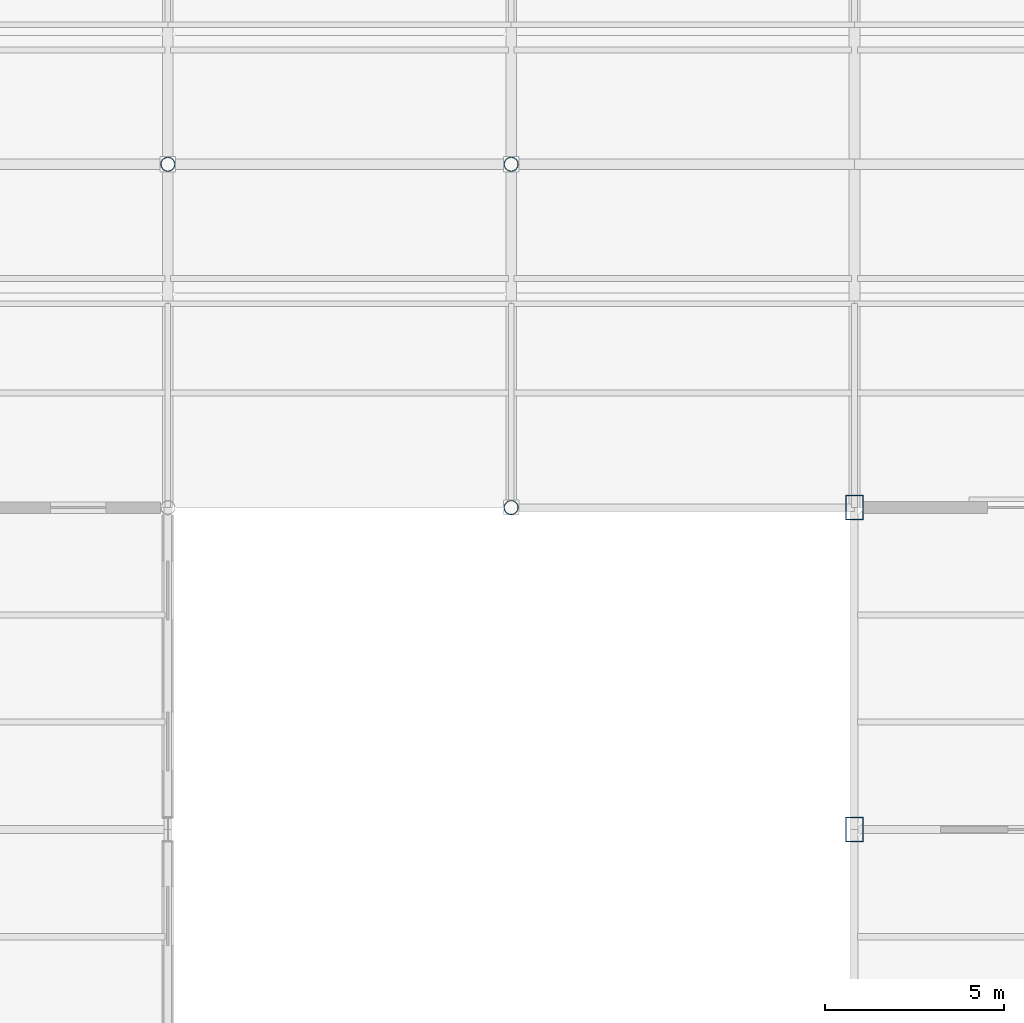
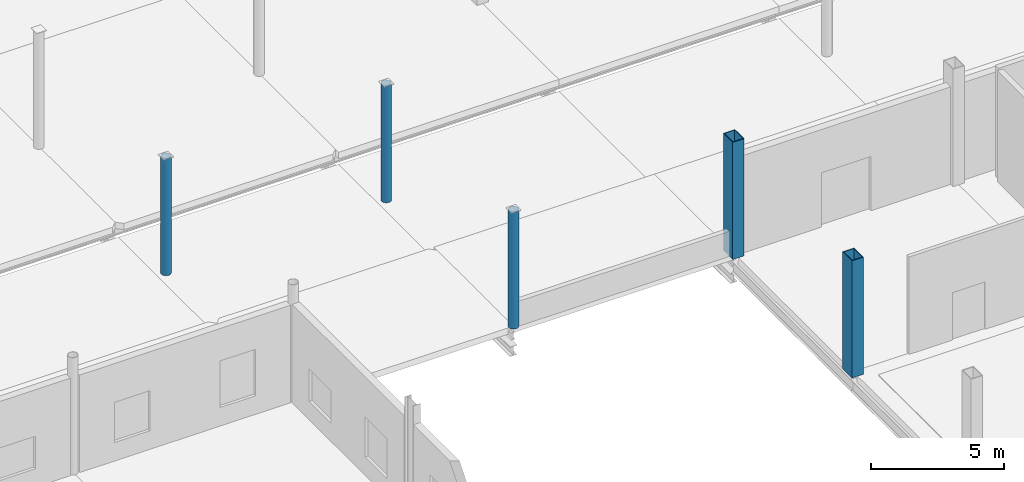
# One storey, part 9 of 85: 5 columns.
"""IFC4 building model written with IfcOpenShell, lengths in metres."""

from ifc_helpers import new_model, si_unit, direction, frame, origin, origin_2d, place, context, subcontext, project, spatial, hollow_rectangle, hollow_circle, extrude, material, material_profile, profile_set, type_object, element, save


model = new_model("IFC4")

# Units and contexts
model_context = context("Model", 3, precision=1e-05, world=origin(), true_north=direction((0.0, 1.0)))
body_context = subcontext(model_context, "Body", "Model", "MODEL_VIEW")
ifc_project = project(units=[si_unit("LENGTHUNIT", "METRE"), si_unit("AREAUNIT", "SQUARE_METRE"), si_unit("VOLUMEUNIT", "CUBIC_METRE"), si_unit("PLANEANGLEUNIT", "RADIAN"), si_unit("MASSUNIT", "GRAM", prefix="KILO")], contexts=[model_context])

# Site, building, storey
site_placement = place(None, origin())
site = spatial("IfcSite", under=ifc_project, at=site_placement, CompositionType="ELEMENT")
building_placement = place(site_placement, origin())
building = spatial("IfcBuilding", under=site, at=building_placement, Name="Zarnetskaya Central Station", CompositionType="ELEMENT")
storey_placement = place(building_placement, origin())
storey = spatial("IfcBuildingStorey", under=building, at=storey_placement, Name="L00", CompositionType="ELEMENT", Elevation=0.0)

# Columns
ifc_material = material(Name="Steel S355", Category="steel")
ifc_material_profile_1 = material_profile(ifc_material, hollow_circle(Radius=0.203125, WallThickness=0.02001953125, at=origin_2d()), Name="CHS 406.4x20")
ifc_profile_set_1 = profile_set([ifc_material_profile_1], Name="Steel S355")
column_type_1 = type_object("IfcColumnType", Name="COL-V1-PCAN", PredefinedType="COLUMN", material=ifc_profile_set_1)
for number, where, z_axis, x_axis, name in (
    (1, (38.39990234375, 76.800048828125, 0.0), (0.0, 0.0, 1.0), (1.0, 0.0, 0.0), "Column E10 L00"),
    (2, (48.0, 67.199951171875, 0.0), (0.0, 0.0, 1.0), (1.0, 0.0, 0.0), "Column F9 L00"),
    (3, (48.0, 76.800048828125, 0.0), (0.0, 0.0, 1.0), (1.0, 0.0, 0.0), "Column F10 L00"),
):
    element("IfcColumn", number, at=place(storey_placement, frame(where, z_axis=z_axis, x_axis=x_axis)), inside=storey, type_object=column_type_1, Name=name, PredefinedType="COLUMN", context=body_context, shape_type="SweptSolid", body=[
        extrude(hollow_circle(Radius=0.203125, WallThickness=0.02001953125, at=origin_2d()), origin(), (0.0, 0.0, 1.0), 5.387939453125),
    ])
ifc_material_profile_2 = material_profile(ifc_material, hollow_rectangle(XDim=0.5, YDim=0.699951171875, WallThickness=0.031982421875, at=origin_2d()), Name="BOX 700x500x32")
ifc_profile_set_2 = profile_set([ifc_material_profile_2], Name="Steel S355")
column_type_2 = type_object("IfcColumnType", Name="COL-V2-HALL", PredefinedType="COLUMN", material=ifc_profile_set_2)
for number, where, z_axis, x_axis, name in (
    (4, (57.60009765625, 58.199951171875, 0.0), (0.0, 0.0, 1.0), (1.0, 0.0, 0.0), "Column G8 L00"),
    (5, (57.60009765625, 67.199951171875, 0.0), (0.0, 0.0, 1.0), (1.0, 0.0, 0.0), "Column G9 L00"),
):
    element("IfcColumn", number, at=place(storey_placement, frame(where, z_axis=z_axis, x_axis=x_axis)), inside=storey, type_object=column_type_2, Name=name, PredefinedType="COLUMN", context=body_context, shape_type="SweptSolid", body=[
        extrude(hollow_rectangle(XDim=0.5, YDim=0.699951171875, WallThickness=0.031982421875, at=origin_2d()), origin(), (0.0, 0.0, 1.0), 5.39990234375),
    ])

save(model, "model.ifc")
